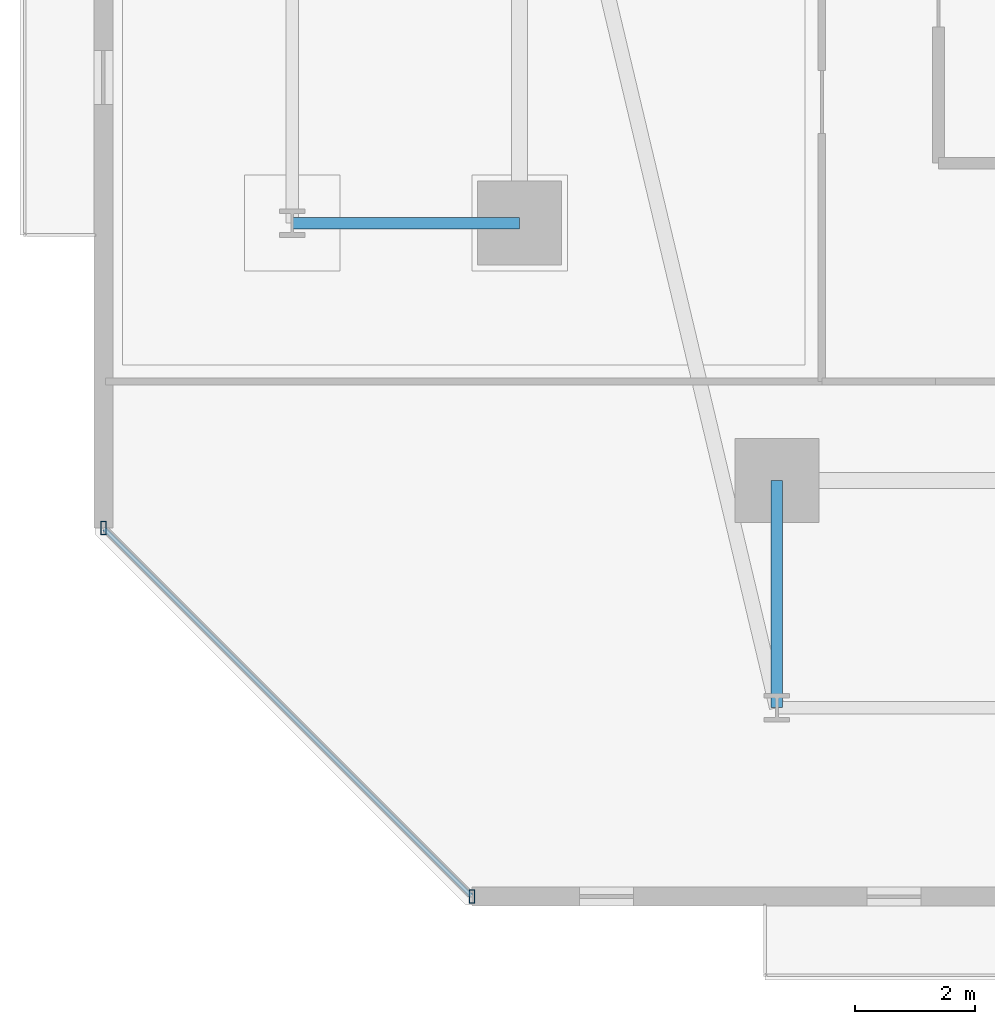
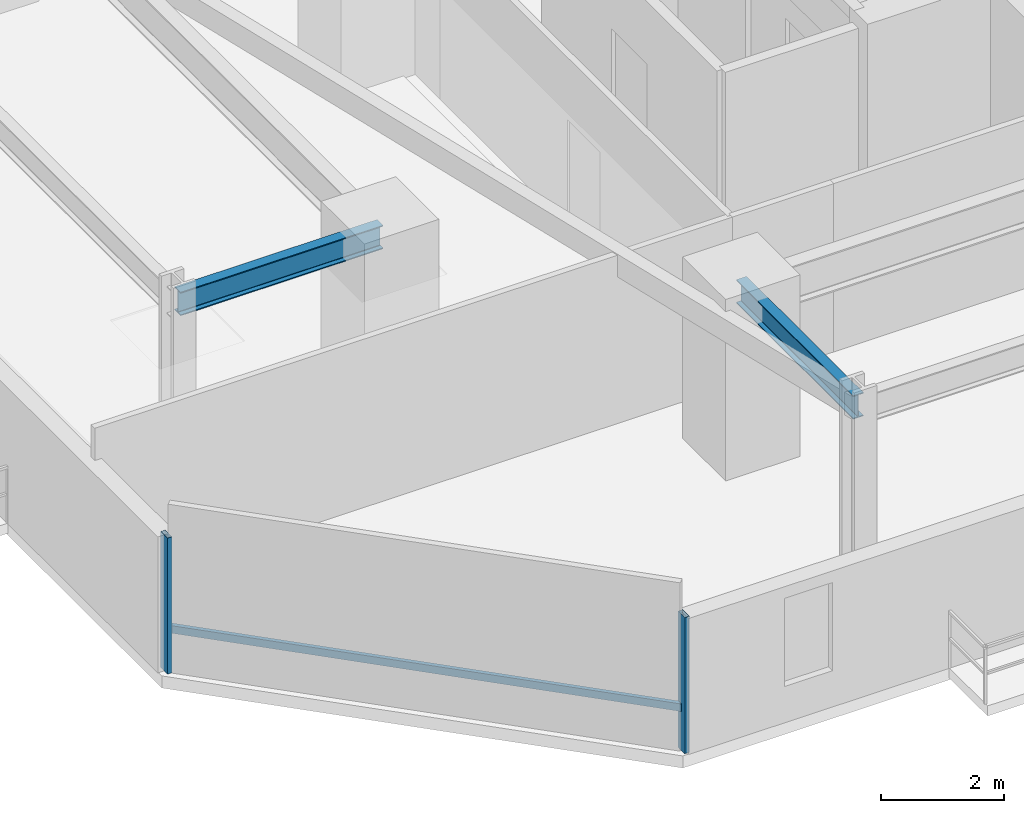
# One storey, part 3 of 34: 3 members, 2 beams, 1 element without a shape of its own.
"""IFC4 building model written with IfcOpenShell, lengths in metres."""

from ifc_helpers import new_model, si_unit, direction, frame, origin, origin_2d, place, context, subcontext, project, spatial, hollow_rectangle, i_section, extrude, material, material_profile, profile_set, type_object, element, aggregate, save


model = new_model("IFC4")

# Units and contexts
model_context = context("Model", 3, precision=1e-05, world=origin(), true_north=direction((0.0, 1.0)))
body_context = subcontext(model_context, "Body", "Model", "MODEL_VIEW")
ifc_project = project(units=[si_unit("LENGTHUNIT", "METRE"), si_unit("AREAUNIT", "SQUARE_METRE"), si_unit("VOLUMEUNIT", "CUBIC_METRE"), si_unit("PLANEANGLEUNIT", "RADIAN"), si_unit("MASSUNIT", "GRAM", prefix="KILO")], contexts=[model_context])

# Site, building, storey
site_placement = place(None, origin())
site = spatial("IfcSite", under=ifc_project, at=site_placement, CompositionType="ELEMENT")
building_placement = place(site_placement, origin())
building = spatial("IfcBuilding", under=site, at=building_placement, Name="Thornwick Lancets Civic Towers", CompositionType="ELEMENT")
storey_placement = place(building_placement, frame((0.0, 0.0, 27.89990234375)))
storey = spatial("IfcBuildingStorey", under=building, at=storey_placement, Name="L06", CompositionType="ELEMENT", Elevation=27.89990234375)

# Beams
ifc_material_1 = material(Name="Steel S355JR", Category="steel")
ifc_material_profile_1 = material_profile(ifc_material_1, i_section(OverallWidth=0.19287109375, OverallDepth=0.46728515625, WebThickness=0.011474609375, FlangeThickness=0.01953125, FilletRadius=0.01025390625, at=origin_2d()), Name="UKB 457x191x98")
ifc_profile_set_1 = profile_set([ifc_material_profile_1], Name="Steel S355JR")
beam_type = type_object("IfcBeamType", Name="BM_JOIST_457_98", PredefinedType="JOIST", material=ifc_profile_set_1)
for number, where, z_axis, x_axis, name in (
    (1, (12.5, 9.699951171875, 3.12646484375), (0.0, -1.0, 0.0), (1.0, 0.0, 0.0), "BM-RAD-L06-A01"),
    (2, (8.199951171875, 14.0, 3.12646484375), (-1.0, 0.0, 0.0), (0.0, -1.0, 0.0), "BM-RAD-L06-A10"),
):
    element("IfcBeam", number, at=place(storey_placement, frame(where, z_axis=z_axis, x_axis=x_axis)), inside=storey, type_object=beam_type, Name=name, PredefinedType="JOIST", context=body_context, shape_type="SweptSolid", body=[
        extrude(i_section(OverallWidth=0.19287109375, OverallDepth=0.46728515625, WebThickness=0.011474609375, FlangeThickness=0.01953125, FilletRadius=0.01025390625, at=origin_2d()), origin(), (0.0, 0.0, 1.0), 3.800048828125),
    ])

# Curtain wall, members
ifc_material_2 = material(Name="Low-zone chamfered-corner unitised glass curtain wall", Category="glass")
curtain_wall_type = type_object("IfcCurtainWallType", Name="CW_SYS_03", PredefinedType="NOTDEFINED", material=ifc_material_2)
curtain_wall_placement = place(storey_placement, origin())
curtain_wall = element("IfcCurtainWall", 3, at=curtain_wall_placement, inside=storey, type_object=curtain_wall_type, Name="L06 Curtain Wall CW-L06-A-E7", PredefinedType="NOTDEFINED")
ifc_material_3 = material(Name="Thermally broken bronze aluminium S355", Category="steel")
ifc_material_profile_2 = material_profile(ifc_material_3, hollow_rectangle(XDim=0.090087890625, YDim=0.219970703125, WallThickness=0.00634765625, at=origin_2d()), Name="RHS 220x90x6.3")
ifc_profile_set_2 = profile_set([ifc_material_profile_2], Name="Thermally broken bronze aluminium S355")
member_type_1 = type_object("IfcMemberType", Name="CW_MUL_220", PredefinedType="MULLION", material=ifc_profile_set_2)
member_1_placement = place(storey_placement, frame((1.24658203125, 8.904296875, 0.0), z_axis=(0.0, 0.0, 1.0), x_axis=(1.0, 0.0, 0.0)))
member_1 = element("IfcMember", 4, at=member_1_placement, type_object=member_type_1, Name="CW-L06-A-E7 Mullion 0", PredefinedType="MULLION", context=body_context, shape_type="SweptSolid", body=[
    extrude(hollow_rectangle(XDim=0.090087890625, YDim=0.219970703125, WallThickness=0.00634765625, at=origin_2d()), origin(), (0.0, 0.0, 1.0), 2.7001953125),
])
member_2_placement = place(storey_placement, frame((7.404296875, 2.74658203125, 0.0), z_axis=(0.0, 0.0, 1.0), x_axis=(1.0, 0.0, 0.0)))
member_2 = element("IfcMember", 5, at=member_2_placement, type_object=member_type_1, Name="CW-L06-A-E7 Mullion 1", PredefinedType="MULLION", context=body_context, shape_type="SweptSolid", body=[
    extrude(hollow_rectangle(XDim=0.090087890625, YDim=0.219970703125, WallThickness=0.00634765625, at=origin_2d()), origin(), (0.0, 0.0, 1.0), 2.7001953125),
])
ifc_material_profile_3 = material_profile(ifc_material_3, hollow_rectangle(XDim=0.074951171875, YDim=0.14990234375, WallThickness=0.0048828125, at=origin_2d()), Name="RHS 150x75x5")
ifc_profile_set_3 = profile_set([ifc_material_profile_3], Name="Thermally broken bronze aluminium S355")
member_type_2 = type_object("IfcMemberType", Name="CW_TRN_150", PredefinedType="USERDEFINED", material=ifc_profile_set_3)
member_3_placement = place(storey_placement, frame((1.2607421875, 8.89013671875, 0.85009765625), z_axis=(0.707106781187, -0.707106781187, 0.0), x_axis=(0.707106781187, 0.707106781187, 0.0)))
member_3 = element("IfcMember", 6, at=member_3_placement, type_object=member_type_2, Name="CW-L06-A-E7 Transom 0", ObjectType="TRANSOM", PredefinedType="USERDEFINED", context=body_context, shape_type="SweptSolid", body=[
    extrude(hollow_rectangle(XDim=0.074951171875, YDim=0.14990234375, WallThickness=0.0048828125, at=origin_2d()), origin(), (0.0, 0.0, 1.0), 8.668212890625),
])
aggregate(curtain_wall, [member_1, member_2, member_3])

save(model, "model.ifc")
